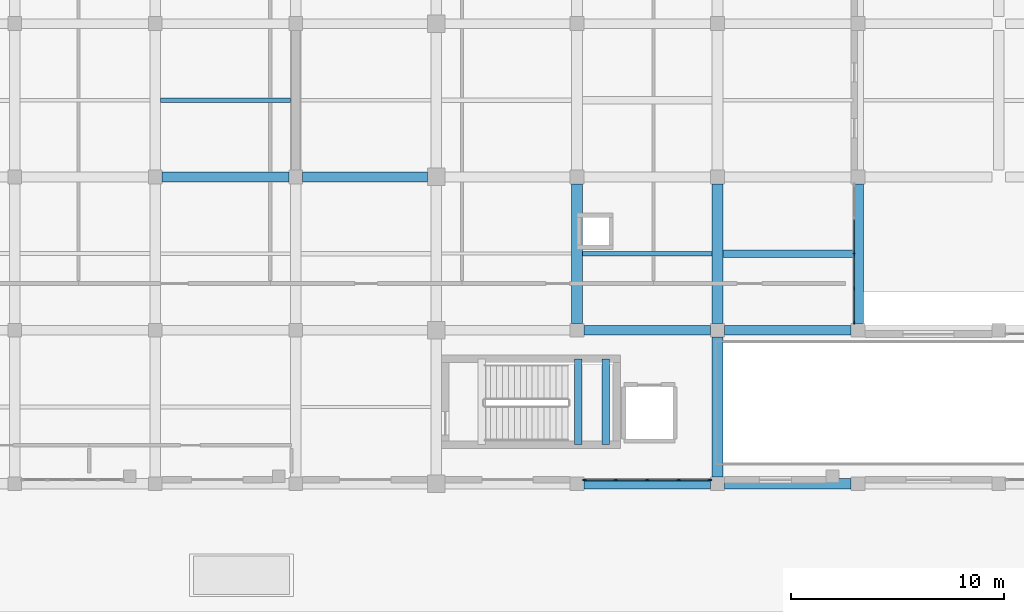
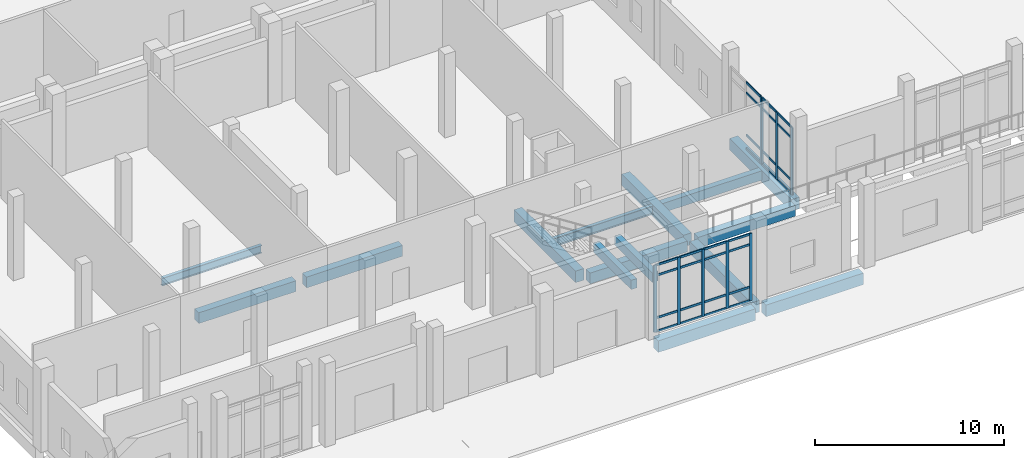
# One storey, part 14 of 79: 37 members, 15 beams, 3 elements without a shape of their own.
"""IFC4 building model written with IfcOpenShell, lengths in metres."""

from ifc_helpers import new_model, si_unit, direction, frame, origin, origin_2d, place, context, subcontext, project, spatial, rectangle, i_section, extrude, material, layer, layer_set, material_profile, profile_set, type_object, element, aggregate, save


model = new_model("IFC4")

# Units and contexts
model_context = context("Model", 3, precision=1e-05, world=origin(), true_north=direction((0.0, 1.0)))
body_context = subcontext(model_context, "Body", "Model", "MODEL_VIEW")
ifc_project = project(units=[si_unit("LENGTHUNIT", "METRE"), si_unit("AREAUNIT", "SQUARE_METRE"), si_unit("VOLUMEUNIT", "CUBIC_METRE"), si_unit("PLANEANGLEUNIT", "RADIAN"), si_unit("MASSUNIT", "GRAM", prefix="KILO")], contexts=[model_context])

# Site, building, storey
site_placement = place(None, origin())
site = spatial("IfcSite", under=ifc_project, at=site_placement, CompositionType="ELEMENT")
building_placement = place(site_placement, origin())
building = spatial("IfcBuilding", under=site, at=building_placement, Name="Kelarvand Opera House", CompositionType="ELEMENT")
storey_placement = place(building_placement, origin())
storey = spatial("IfcBuildingStorey", under=building, at=storey_placement, Name="L00", CompositionType="ELEMENT", Elevation=0.0)

# Curtain wall, members
ifc_material_1 = material(Name="Thermally broken aluminium and low-E glazing", Category="aluminium")
ifc_layer_1 = layer(ifc_material_1, 0.179931640625, Name="Thermally broken aluminium and low-E glazing", Category="aluminium")
ifc_layer_set_1 = layer_set([ifc_layer_1], Name="Thermally broken aluminium and low-E glazing")
curtain_wall_type_1 = type_object("IfcCurtainWallType", Name="Unitised Low-E Curtain Wall 5930x4350 Mod 1350 CWF-51", PredefinedType="USERDEFINED", material=ifc_layer_set_1)
curtain_wall_1_placement = place(storey_placement, origin())
curtain_wall_1 = element("IfcCurtainWall", 1, at=curtain_wall_1_placement, inside=storey, type_object=curtain_wall_type_1, Name="V6 L00 Curtain Wall CWF-51 (198)", ObjectType="UNITISED CURTAIN WALL", PredefinedType="USERDEFINED")
ifc_material_2 = material(Name="Thermally broken anodised aluminium", Category="aluminium")
ifc_material_profile_1 = material_profile(ifc_material_2, rectangle(XDim=0.06494140625, YDim=0.179931640625, at=origin_2d()), Name="ALU MULLION 65x180", Category="aluminium")
ifc_profile_set_1 = profile_set([ifc_material_profile_1], Name="Thermally broken anodised aluminium")
member_type_1 = type_object("IfcMemberType", Name="Curtain Wall Mullion 65x180 Aluminium", PredefinedType="MULLION", material=ifc_profile_set_1)
member_1_placement = place(storey_placement, frame((128.232421875, 9.179931640625, 0.0), z_axis=(0.0, 0.0, 1.0), x_axis=(0.0, -1.0, 0.0)))
member_1 = element("IfcMember", 2, at=member_1_placement, type_object=member_type_1, Name="CWF-51 mullion 1", PredefinedType="MULLION", context=body_context, shape_type="SweptSolid", body=[
    extrude(rectangle(XDim=0.06494140625, YDim=0.179931640625, at=origin_2d()), origin(), (0.0, 0.0, 1.0), 4.35009765625),
])
member_2_placement = place(storey_placement, frame((126.782470703125, 9.179931640625, 0.0), z_axis=(0.0, 0.0, 1.0), x_axis=(0.0, -1.0, 0.0)))
member_2 = element("IfcMember", 3, at=member_2_placement, type_object=member_type_1, Name="CWF-51 mullion 2", PredefinedType="MULLION", context=body_context, shape_type="SweptSolid", body=[
    extrude(rectangle(XDim=0.06494140625, YDim=0.179931640625, at=origin_2d()), origin(), (0.0, 0.0, 1.0), 4.35009765625),
])
member_3_placement = place(storey_placement, frame((125.300048828125, 9.179931640625, 0.0), z_axis=(0.0, 0.0, 1.0), x_axis=(0.0, -1.0, 0.0)))
member_3 = element("IfcMember", 4, at=member_3_placement, type_object=member_type_1, Name="CWF-51 mullion 3", PredefinedType="MULLION", context=body_context, shape_type="SweptSolid", body=[
    extrude(rectangle(XDim=0.06494140625, YDim=0.179931640625, at=origin_2d()), origin(), (0.0, 0.0, 1.0), 4.35009765625),
])
member_4_placement = place(storey_placement, frame((123.8173828125, 9.179931640625, 0.0), z_axis=(0.0, 0.0, 1.0), x_axis=(0.0, -1.0, 0.0)))
member_4 = element("IfcMember", 5, at=member_4_placement, type_object=member_type_1, Name="CWF-51 mullion 4", PredefinedType="MULLION", context=body_context, shape_type="SweptSolid", body=[
    extrude(rectangle(XDim=0.06494140625, YDim=0.179931640625, at=origin_2d()), origin(), (0.0, 0.0, 1.0), 4.35009765625),
])
member_5_placement = place(storey_placement, frame((122.367431640625, 9.179931640625, 0.0), z_axis=(0.0, 0.0, 1.0), x_axis=(0.0, -1.0, 0.0)))
member_5 = element("IfcMember", 6, at=member_5_placement, type_object=member_type_1, Name="CWF-51 mullion 5", PredefinedType="MULLION", context=body_context, shape_type="SweptSolid", body=[
    extrude(rectangle(XDim=0.06494140625, YDim=0.179931640625, at=origin_2d()), origin(), (0.0, 0.0, 1.0), 4.35009765625),
])

# Curtain wall, member
ifc_layer_2 = layer(ifc_material_1, 0.179931640625, Name="Thermally broken aluminium and low-E glazing", Category="aluminium")
ifc_layer_set_2 = layer_set([ifc_layer_2], Name="Thermally broken aluminium and low-E glazing")
curtain_wall_type_2 = type_object("IfcCurtainWallType", Name="Unitised Low-E Curtain Wall 3261x4350 Mod 1350 CWF-53", PredefinedType="USERDEFINED", material=ifc_layer_set_2)
curtain_wall_2_placement = place(storey_placement, origin())
curtain_wall_2 = element("IfcCurtainWall", 7, at=curtain_wall_2_placement, inside=storey, type_object=curtain_wall_type_2, Name="V6 L00 Curtain Wall CWF-53 (202)", ObjectType="UNITISED CURTAIN WALL", PredefinedType="USERDEFINED")
member_6_placement = place(storey_placement, frame((135.02001953125, 19.83642578125, 0.0), z_axis=(0.0, 0.0, 1.0), x_axis=(1.0, 0.0, 0.0)))
member_6 = element("IfcMember", 8, at=member_6_placement, type_object=member_type_1, Name="CWF-53 mullion 3", PredefinedType="MULLION", context=body_context, shape_type="SweptSolid", body=[
    extrude(rectangle(XDim=0.06494140625, YDim=0.179931640625, at=origin_2d()), origin(), (0.0, 0.0, 1.0), 4.35009765625),
])

# Curtain wall, members
curtain_wall_3_placement = place(storey_placement, origin())
curtain_wall_3 = element("IfcCurtainWall", 9, at=curtain_wall_3_placement, inside=storey, type_object=curtain_wall_type_2, Name="V6 L00 Curtain Wall CWF-53 (203)", ObjectType="UNITISED CURTAIN WALL", PredefinedType="USERDEFINED")
member_7_placement = place(storey_placement, frame((135.02001953125, 19.767578125, 0.0), z_axis=(0.0, 0.0, 1.0), x_axis=(1.0, 0.0, 0.0)))
member_7 = element("IfcMember", 10, at=member_7_placement, type_object=member_type_1, Name="CWF-53 mullion 1", PredefinedType="MULLION", context=body_context, shape_type="SweptSolid", body=[
    extrude(rectangle(XDim=0.06494140625, YDim=0.179931640625, at=origin_2d()), origin(), (0.0, 0.0, 1.0), 4.35009765625),
])
member_8_placement = place(storey_placement, frame((135.02001953125, 18.16748046875, 0.0), z_axis=(0.0, 0.0, 1.0), x_axis=(1.0, 0.0, 0.0)))
member_8 = element("IfcMember", 11, at=member_8_placement, type_object=member_type_1, Name="CWF-53 mullion 2", PredefinedType="MULLION", context=body_context, shape_type="SweptSolid", body=[
    extrude(rectangle(XDim=0.06494140625, YDim=0.179931640625, at=origin_2d()), origin(), (0.0, 0.0, 1.0), 4.35009765625),
])
member_9_placement = place(storey_placement, frame((135.02001953125, 16.5673828125, 0.0), z_axis=(0.0, 0.0, 1.0), x_axis=(1.0, 0.0, 0.0)))
member_9 = element("IfcMember", 12, at=member_9_placement, type_object=member_type_1, Name="CWF-53 mullion 3", PredefinedType="MULLION", context=body_context, shape_type="SweptSolid", body=[
    extrude(rectangle(XDim=0.06494140625, YDim=0.179931640625, at=origin_2d()), origin(), (0.0, 0.0, 1.0), 4.35009765625),
])

# Member
ifc_material_profile_2 = material_profile(ifc_material_2, rectangle(XDim=0.06494140625, YDim=0.139892578125, at=origin_2d()), Name="ALU TRANSOM 65x140", Category="aluminium")
ifc_profile_set_2 = profile_set([ifc_material_profile_2], Name="Thermally broken anodised aluminium")
member_type_2 = type_object("IfcMemberType", Name="Curtain Wall Transom 65x140 Aluminium", PredefinedType="USERDEFINED", material=ifc_profile_set_2)
member_10_placement = place(storey_placement, frame((128.199951171875, 9.179931640625, 0.032470703125), z_axis=(-1.0, 0.0, 0.0), x_axis=(0.0, -1.0, 0.0)))
member_10 = element("IfcMember", 13, at=member_10_placement, type_object=member_type_2, Name="CWF-51 transom 1.1", ObjectType="TRANSOM", PredefinedType="USERDEFINED", context=body_context, shape_type="SweptSolid", body=[
    extrude(rectangle(XDim=0.06494140625, YDim=0.139892578125, at=origin_2d()), origin(), (0.0, 0.0, 1.0), 1.385009765625),
])

member_11_placement = place(storey_placement, frame((128.199951171875, 9.179931640625, 0.89990234375), z_axis=(-1.0, 0.0, 0.0), x_axis=(0.0, -1.0, 0.0)))
member_11 = element("IfcMember", 14, at=member_11_placement, type_object=member_type_2, Name="CWF-51 transom 1.2", ObjectType="TRANSOM", PredefinedType="USERDEFINED", context=body_context, shape_type="SweptSolid", body=[
    extrude(rectangle(XDim=0.06494140625, YDim=0.139892578125, at=origin_2d()), origin(), (0.0, 0.0, 1.0), 1.385009765625),
])

member_12_placement = place(storey_placement, frame((128.199951171875, 9.179931640625, 3.64990234375), z_axis=(-1.0, 0.0, 0.0), x_axis=(0.0, -1.0, 0.0)))
member_12 = element("IfcMember", 15, at=member_12_placement, type_object=member_type_2, Name="CWF-51 transom 1.3", ObjectType="TRANSOM", PredefinedType="USERDEFINED", context=body_context, shape_type="SweptSolid", body=[
    extrude(rectangle(XDim=0.06494140625, YDim=0.139892578125, at=origin_2d()), origin(), (0.0, 0.0, 1.0), 1.385009765625),
])

member_13_placement = place(storey_placement, frame((128.199951171875, 9.179931640625, 4.3173828125), z_axis=(-1.0, 0.0, 0.0), x_axis=(0.0, -1.0, 0.0)))
member_13 = element("IfcMember", 16, at=member_13_placement, type_object=member_type_2, Name="CWF-51 transom 1.4", ObjectType="TRANSOM", PredefinedType="USERDEFINED", context=body_context, shape_type="SweptSolid", body=[
    extrude(rectangle(XDim=0.06494140625, YDim=0.139892578125, at=origin_2d()), origin(), (0.0, 0.0, 1.0), 1.385009765625),
])

member_14_placement = place(storey_placement, frame((126.75, 9.179931640625, 0.032470703125), z_axis=(-1.0, 0.0, 0.0), x_axis=(0.0, -1.0, 0.0)))
member_14 = element("IfcMember", 17, at=member_14_placement, type_object=member_type_2, Name="CWF-51 transom 2.1", ObjectType="TRANSOM", PredefinedType="USERDEFINED", context=body_context, shape_type="SweptSolid", body=[
    extrude(rectangle(XDim=0.06494140625, YDim=0.139892578125, at=origin_2d()), origin(), (0.0, 0.0, 1.0), 1.41748046875),
])

member_15_placement = place(storey_placement, frame((126.75, 9.179931640625, 0.89990234375), z_axis=(-1.0, 0.0, 0.0), x_axis=(0.0, -1.0, 0.0)))
member_15 = element("IfcMember", 18, at=member_15_placement, type_object=member_type_2, Name="CWF-51 transom 2.2", ObjectType="TRANSOM", PredefinedType="USERDEFINED", context=body_context, shape_type="SweptSolid", body=[
    extrude(rectangle(XDim=0.06494140625, YDim=0.139892578125, at=origin_2d()), origin(), (0.0, 0.0, 1.0), 1.41748046875),
])

member_16_placement = place(storey_placement, frame((126.75, 9.179931640625, 3.64990234375), z_axis=(-1.0, 0.0, 0.0), x_axis=(0.0, -1.0, 0.0)))
member_16 = element("IfcMember", 19, at=member_16_placement, type_object=member_type_2, Name="CWF-51 transom 2.3", ObjectType="TRANSOM", PredefinedType="USERDEFINED", context=body_context, shape_type="SweptSolid", body=[
    extrude(rectangle(XDim=0.06494140625, YDim=0.139892578125, at=origin_2d()), origin(), (0.0, 0.0, 1.0), 1.41748046875),
])

member_17_placement = place(storey_placement, frame((126.75, 9.179931640625, 4.3173828125), z_axis=(-1.0, 0.0, 0.0), x_axis=(0.0, -1.0, 0.0)))
member_17 = element("IfcMember", 20, at=member_17_placement, type_object=member_type_2, Name="CWF-51 transom 2.4", ObjectType="TRANSOM", PredefinedType="USERDEFINED", context=body_context, shape_type="SweptSolid", body=[
    extrude(rectangle(XDim=0.06494140625, YDim=0.139892578125, at=origin_2d()), origin(), (0.0, 0.0, 1.0), 1.41748046875),
])

member_18_placement = place(storey_placement, frame((125.267578125, 9.179931640625, 0.032470703125), z_axis=(-1.0, 0.0, 0.0), x_axis=(0.0, -1.0, 0.0)))
member_18 = element("IfcMember", 21, at=member_18_placement, type_object=member_type_2, Name="CWF-51 transom 3.1", ObjectType="TRANSOM", PredefinedType="USERDEFINED", context=body_context, shape_type="SweptSolid", body=[
    extrude(rectangle(XDim=0.06494140625, YDim=0.139892578125, at=origin_2d()), origin(), (0.0, 0.0, 1.0), 1.41748046875),
])

member_19_placement = place(storey_placement, frame((125.267578125, 9.179931640625, 0.89990234375), z_axis=(-1.0, 0.0, 0.0), x_axis=(0.0, -1.0, 0.0)))
member_19 = element("IfcMember", 22, at=member_19_placement, type_object=member_type_2, Name="CWF-51 transom 3.2", ObjectType="TRANSOM", PredefinedType="USERDEFINED", context=body_context, shape_type="SweptSolid", body=[
    extrude(rectangle(XDim=0.06494140625, YDim=0.139892578125, at=origin_2d()), origin(), (0.0, 0.0, 1.0), 1.41748046875),
])

member_20_placement = place(storey_placement, frame((125.267578125, 9.179931640625, 3.64990234375), z_axis=(-1.0, 0.0, 0.0), x_axis=(0.0, -1.0, 0.0)))
member_20 = element("IfcMember", 23, at=member_20_placement, type_object=member_type_2, Name="CWF-51 transom 3.3", ObjectType="TRANSOM", PredefinedType="USERDEFINED", context=body_context, shape_type="SweptSolid", body=[
    extrude(rectangle(XDim=0.06494140625, YDim=0.139892578125, at=origin_2d()), origin(), (0.0, 0.0, 1.0), 1.41748046875),
])

member_21_placement = place(storey_placement, frame((125.267578125, 9.179931640625, 4.3173828125), z_axis=(-1.0, 0.0, 0.0), x_axis=(0.0, -1.0, 0.0)))
member_21 = element("IfcMember", 24, at=member_21_placement, type_object=member_type_2, Name="CWF-51 transom 3.4", ObjectType="TRANSOM", PredefinedType="USERDEFINED", context=body_context, shape_type="SweptSolid", body=[
    extrude(rectangle(XDim=0.06494140625, YDim=0.139892578125, at=origin_2d()), origin(), (0.0, 0.0, 1.0), 1.41748046875),
])

member_22_placement = place(storey_placement, frame((123.784912109375, 9.179931640625, 0.032470703125), z_axis=(-1.0, 0.0, 0.0), x_axis=(0.0, -1.0, 0.0)))
member_22 = element("IfcMember", 25, at=member_22_placement, type_object=member_type_2, Name="CWF-51 transom 4.1", ObjectType="TRANSOM", PredefinedType="USERDEFINED", context=body_context, shape_type="SweptSolid", body=[
    extrude(rectangle(XDim=0.06494140625, YDim=0.139892578125, at=origin_2d()), origin(), (0.0, 0.0, 1.0), 1.385009765625),
])

member_23_placement = place(storey_placement, frame((123.784912109375, 9.179931640625, 0.89990234375), z_axis=(-1.0, 0.0, 0.0), x_axis=(0.0, -1.0, 0.0)))
member_23 = element("IfcMember", 26, at=member_23_placement, type_object=member_type_2, Name="CWF-51 transom 4.2", ObjectType="TRANSOM", PredefinedType="USERDEFINED", context=body_context, shape_type="SweptSolid", body=[
    extrude(rectangle(XDim=0.06494140625, YDim=0.139892578125, at=origin_2d()), origin(), (0.0, 0.0, 1.0), 1.385009765625),
])

member_24_placement = place(storey_placement, frame((123.784912109375, 9.179931640625, 3.64990234375), z_axis=(-1.0, 0.0, 0.0), x_axis=(0.0, -1.0, 0.0)))
member_24 = element("IfcMember", 27, at=member_24_placement, type_object=member_type_2, Name="CWF-51 transom 4.3", ObjectType="TRANSOM", PredefinedType="USERDEFINED", context=body_context, shape_type="SweptSolid", body=[
    extrude(rectangle(XDim=0.06494140625, YDim=0.139892578125, at=origin_2d()), origin(), (0.0, 0.0, 1.0), 1.385009765625),
])

member_25_placement = place(storey_placement, frame((123.784912109375, 9.179931640625, 4.3173828125), z_axis=(-1.0, 0.0, 0.0), x_axis=(0.0, -1.0, 0.0)))
member_25 = element("IfcMember", 28, at=member_25_placement, type_object=member_type_2, Name="CWF-51 transom 4.4", ObjectType="TRANSOM", PredefinedType="USERDEFINED", context=body_context, shape_type="SweptSolid", body=[
    extrude(rectangle(XDim=0.06494140625, YDim=0.139892578125, at=origin_2d()), origin(), (0.0, 0.0, 1.0), 1.385009765625),
])

aggregate(curtain_wall_1, [member_1, member_2, member_3, member_4, member_5, member_10, member_11, member_12, member_13, member_14, member_15, member_16, member_17, member_18, member_19, member_20, member_21, member_22, member_23, member_24, member_25])

member_26_placement = place(storey_placement, frame((135.02001953125, 21.402099609375, 0.032470703125), z_axis=(0.0, -1.0, 0.0), x_axis=(1.0, 0.0, 0.0)))
member_26 = element("IfcMember", 29, at=member_26_placement, type_object=member_type_2, Name="CWF-53 transom 2.1", ObjectType="TRANSOM", PredefinedType="USERDEFINED", context=body_context, shape_type="SweptSolid", body=[
    extrude(rectangle(XDim=0.06494140625, YDim=0.139892578125, at=origin_2d()), origin(), (0.0, 0.0, 1.0), 1.533203125),
])

member_27_placement = place(storey_placement, frame((135.02001953125, 21.402099609375, 0.89990234375), z_axis=(0.0, -1.0, 0.0), x_axis=(1.0, 0.0, 0.0)))
member_27 = element("IfcMember", 30, at=member_27_placement, type_object=member_type_2, Name="CWF-53 transom 2.2", ObjectType="TRANSOM", PredefinedType="USERDEFINED", context=body_context, shape_type="SweptSolid", body=[
    extrude(rectangle(XDim=0.06494140625, YDim=0.139892578125, at=origin_2d()), origin(), (0.0, 0.0, 1.0), 1.533203125),
])

member_28_placement = place(storey_placement, frame((135.02001953125, 21.402099609375, 3.64990234375), z_axis=(0.0, -1.0, 0.0), x_axis=(1.0, 0.0, 0.0)))
member_28 = element("IfcMember", 31, at=member_28_placement, type_object=member_type_2, Name="CWF-53 transom 2.3", ObjectType="TRANSOM", PredefinedType="USERDEFINED", context=body_context, shape_type="SweptSolid", body=[
    extrude(rectangle(XDim=0.06494140625, YDim=0.139892578125, at=origin_2d()), origin(), (0.0, 0.0, 1.0), 1.533203125),
])

member_29_placement = place(storey_placement, frame((135.02001953125, 21.402099609375, 4.3173828125), z_axis=(0.0, -1.0, 0.0), x_axis=(1.0, 0.0, 0.0)))
member_29 = element("IfcMember", 32, at=member_29_placement, type_object=member_type_2, Name="CWF-53 transom 2.4", ObjectType="TRANSOM", PredefinedType="USERDEFINED", context=body_context, shape_type="SweptSolid", body=[
    extrude(rectangle(XDim=0.06494140625, YDim=0.139892578125, at=origin_2d()), origin(), (0.0, 0.0, 1.0), 1.533203125),
])

aggregate(curtain_wall_2, [member_6, member_26, member_27, member_28, member_29])

member_30_placement = place(storey_placement, frame((135.02001953125, 19.735107421875, 0.032470703125), z_axis=(0.0, -1.0, 0.0), x_axis=(1.0, 0.0, 0.0)))
member_30 = element("IfcMember", 33, at=member_30_placement, type_object=member_type_2, Name="CWF-53 transom 1.1", ObjectType="TRANSOM", PredefinedType="USERDEFINED", context=body_context, shape_type="SweptSolid", body=[
    extrude(rectangle(XDim=0.06494140625, YDim=0.139892578125, at=origin_2d()), origin(), (0.0, 0.0, 1.0), 1.53515625),
])

member_31_placement = place(storey_placement, frame((135.02001953125, 19.735107421875, 0.89990234375), z_axis=(0.0, -1.0, 0.0), x_axis=(1.0, 0.0, 0.0)))
member_31 = element("IfcMember", 34, at=member_31_placement, type_object=member_type_2, Name="CWF-53 transom 1.2", ObjectType="TRANSOM", PredefinedType="USERDEFINED", context=body_context, shape_type="SweptSolid", body=[
    extrude(rectangle(XDim=0.06494140625, YDim=0.139892578125, at=origin_2d()), origin(), (0.0, 0.0, 1.0), 1.53515625),
])

member_32_placement = place(storey_placement, frame((135.02001953125, 19.735107421875, 3.64990234375), z_axis=(0.0, -1.0, 0.0), x_axis=(1.0, 0.0, 0.0)))
member_32 = element("IfcMember", 35, at=member_32_placement, type_object=member_type_2, Name="CWF-53 transom 1.3", ObjectType="TRANSOM", PredefinedType="USERDEFINED", context=body_context, shape_type="SweptSolid", body=[
    extrude(rectangle(XDim=0.06494140625, YDim=0.139892578125, at=origin_2d()), origin(), (0.0, 0.0, 1.0), 1.53515625),
])

member_33_placement = place(storey_placement, frame((135.02001953125, 19.735107421875, 4.3173828125), z_axis=(0.0, -1.0, 0.0), x_axis=(1.0, 0.0, 0.0)))
member_33 = element("IfcMember", 36, at=member_33_placement, type_object=member_type_2, Name="CWF-53 transom 1.4", ObjectType="TRANSOM", PredefinedType="USERDEFINED", context=body_context, shape_type="SweptSolid", body=[
    extrude(rectangle(XDim=0.06494140625, YDim=0.139892578125, at=origin_2d()), origin(), (0.0, 0.0, 1.0), 1.53515625),
])

member_34_placement = place(storey_placement, frame((135.02001953125, 18.135009765625, 0.032470703125), z_axis=(0.0, -1.0, 0.0), x_axis=(1.0, 0.0, 0.0)))
member_34 = element("IfcMember", 37, at=member_34_placement, type_object=member_type_2, Name="CWF-53 transom 2.1", ObjectType="TRANSOM", PredefinedType="USERDEFINED", context=body_context, shape_type="SweptSolid", body=[
    extrude(rectangle(XDim=0.06494140625, YDim=0.139892578125, at=origin_2d()), origin(), (0.0, 0.0, 1.0), 1.534912109375),
])

member_35_placement = place(storey_placement, frame((135.02001953125, 18.135009765625, 0.89990234375), z_axis=(0.0, -1.0, 0.0), x_axis=(1.0, 0.0, 0.0)))
member_35 = element("IfcMember", 38, at=member_35_placement, type_object=member_type_2, Name="CWF-53 transom 2.2", ObjectType="TRANSOM", PredefinedType="USERDEFINED", context=body_context, shape_type="SweptSolid", body=[
    extrude(rectangle(XDim=0.06494140625, YDim=0.139892578125, at=origin_2d()), origin(), (0.0, 0.0, 1.0), 1.534912109375),
])

member_36_placement = place(storey_placement, frame((135.02001953125, 18.135009765625, 3.64990234375), z_axis=(0.0, -1.0, 0.0), x_axis=(1.0, 0.0, 0.0)))
member_36 = element("IfcMember", 39, at=member_36_placement, type_object=member_type_2, Name="CWF-53 transom 2.3", ObjectType="TRANSOM", PredefinedType="USERDEFINED", context=body_context, shape_type="SweptSolid", body=[
    extrude(rectangle(XDim=0.06494140625, YDim=0.139892578125, at=origin_2d()), origin(), (0.0, 0.0, 1.0), 1.534912109375),
])

member_37_placement = place(storey_placement, frame((135.02001953125, 18.135009765625, 4.3173828125), z_axis=(0.0, -1.0, 0.0), x_axis=(1.0, 0.0, 0.0)))
member_37 = element("IfcMember", 40, at=member_37_placement, type_object=member_type_2, Name="CWF-53 transom 2.4", ObjectType="TRANSOM", PredefinedType="USERDEFINED", context=body_context, shape_type="SweptSolid", body=[
    extrude(rectangle(XDim=0.06494140625, YDim=0.139892578125, at=origin_2d()), origin(), (0.0, 0.0, 1.0), 1.534912109375),
])

aggregate(curtain_wall_3, [member_7, member_8, member_9, member_30, member_31, member_32, member_33, member_34, member_35, member_36, member_37])

# Beams
ifc_material_3 = material(Name="Concrete C35/45", Category="concrete")
ifc_material_profile_3 = material_profile(ifc_material_3, rectangle(XDim=0.35009765625, YDim=0.60009765625, at=origin_2d()), Name="RC 350x600", Category="concrete")
ifc_profile_set_3 = profile_set([ifc_material_profile_3], Name="Concrete C35/45")
beam_type_1 = type_object("IfcBeamType", Name="Structural Beam RC 350x600 BM-RC350x600", PredefinedType="BEAM", material=ifc_profile_set_3)
beam_1_placement = place(storey_placement, frame((128.85009765625, 19.800048828125, -0.60009765625), z_axis=(1.0, 0.0, 0.0), x_axis=(0.0, 1.0, 0.0)))
element("IfcBeam", 41, at=beam_1_placement, inside=storey, type_object=beam_type_1, Name="V6 L00 Beam BM-RC350x600", PredefinedType="BEAM", context=body_context, shape_type="SweptSolid", body=[
    extrude(rectangle(XDim=0.35009765625, YDim=0.60009765625, at=origin_2d()), origin(), (0.0, 0.0, 1.0), 6.099853515625),
])
for number, where, z_axis, x_axis, name in (
    (42, (122.050048828125, 10.85009765625, 2.199951171875), (0.0, 1.0, 0.0), (-1.0, 0.0, 0.0), "C8 Stair Half-Landing Beam 1 L00"),
    (43, (123.35009765625, 10.85009765625, 2.199951171875), (0.0, 1.0, 0.0), (-1.0, 0.0, 0.0), "C8 Stair Half-Landing Beam 2 L00"),
):
    element("IfcBeam", number, at=place(storey_placement, frame(where, z_axis=z_axis, x_axis=x_axis)), inside=storey, type_object=beam_type_1, Name=name, PredefinedType="BEAM", context=body_context, shape_type="SweptSolid", body=[
        extrude(rectangle(XDim=0.35009765625, YDim=0.60009765625, at=origin_2d()), origin(), (0.0, 0.0, 1.0), 4.0),
    ])
ifc_material_4 = material(Name="Concrete C40/50", Category="concrete")
ifc_material_profile_4 = material_profile(ifc_material_4, rectangle(XDim=0.449951171875, YDim=0.699951171875, at=origin_2d()), Name="RC 450x700", Category="concrete")
ifc_profile_set_4 = profile_set([ifc_material_profile_4], Name="Concrete C40/50")
beam_type_2 = type_object("IfcBeamType", Name="Structural Beam RC 450x700 BM-RC450x700", PredefinedType="BEAM", material=ifc_profile_set_4)
for number, where, z_axis, x_axis, name in (
    (44, (122.324951171875, 16.199951171875, -0.64990234375), (1.0, 0.0, 0.0), (0.0, 1.0, 0.0), "V6 L00 Beam BM-RC450x700"),
    (45, (128.925048828125, 16.199951171875, -0.64990234375), (1.0, 0.0, 0.0), (0.0, 1.0, 0.0), "V6 L00 Beam BM-RC450x700"),
):
    element("IfcBeam", number, at=place(storey_placement, frame(where, z_axis=z_axis, x_axis=x_axis)), inside=storey, type_object=beam_type_2, Name=name, PredefinedType="BEAM", context=body_context, shape_type="SweptSolid", body=[
        extrude(rectangle(XDim=0.449951171875, YDim=0.699951171875, at=origin_2d()), origin(), (0.0, 0.0, 1.0), 5.949951171875),
    ])
beam_2_placement = place(storey_placement, frame((102.52490234375, 23.39990234375, -0.64990234375), z_axis=(1.0, 0.0, 0.0), x_axis=(0.0, 1.0, 0.0)))
element("IfcBeam", 46, at=beam_2_placement, inside=storey, type_object=beam_type_2, Name="V6 L00 Beam BM-RC450x700", PredefinedType="BEAM", context=body_context, shape_type="SweptSolid", body=[
    extrude(rectangle(XDim=0.449951171875, YDim=0.699951171875, at=origin_2d()), origin(), (0.0, 0.0, 1.0), 5.9501953125),
])
beam_3_placement = place(storey_placement, frame((109.125, 23.39990234375, -0.64990234375), z_axis=(1.0, 0.0, 0.0), x_axis=(0.0, 1.0, 0.0)))
element("IfcBeam", 47, at=beam_3_placement, inside=storey, type_object=beam_type_2, Name="V6 L00 Beam BM-RC450x700", PredefinedType="BEAM", context=body_context, shape_type="SweptSolid", body=[
    extrude(rectangle(XDim=0.449951171875, YDim=0.699951171875, at=origin_2d()), origin(), (0.0, 0.0, 1.0), 5.864990234375),
])
ifc_material_profile_5 = material_profile(ifc_material_4, rectangle(XDim=0.5, YDim=0.75, at=origin_2d()), Name="RC 500x750", Category="concrete")
ifc_profile_set_5 = profile_set([ifc_material_profile_5], Name="Concrete C40/50")
beam_type_3 = type_object("IfcBeamType", Name="Structural Beam RC 500x750 BM-RC500x750", PredefinedType="BEAM", material=ifc_profile_set_5)
for number, where, z_axis, x_axis, name in (
    (48, (122.0, 16.52490234375, -0.675048828125), (0.0, 1.0, 0.0), (-1.0, 0.0, 0.0), "V6 L00 Beam BM-RC500x750"),
    (49, (128.60009765625, 9.324951171875, -0.675048828125), (0.0, 1.0, 0.0), (-1.0, 0.0, 0.0), "V6 L00 Beam BM-RC500x750"),
    (50, (128.60009765625, 16.52490234375, -0.675048828125), (0.0, 1.0, 0.0), (-1.0, 0.0, 0.0), "V6 L00 Beam BM-RC500x750"),
    (51, (135.199951171875, 16.52490234375, -0.675048828125), (0.0, 1.0, 0.0), (-1.0, 0.0, 0.0), "V6 L00 Beam BM-RC500x750"),
):
    element("IfcBeam", number, at=place(storey_placement, frame(where, z_axis=z_axis, x_axis=x_axis)), inside=storey, type_object=beam_type_3, Name=name, PredefinedType="BEAM", context=body_context, shape_type="SweptSolid", body=[
        extrude(rectangle(XDim=0.5, YDim=0.75, at=origin_2d()), origin(), (0.0, 0.0, 1.0), 6.550048828125),
    ])
ifc_material_5 = material(Name="Steel S355", Category="steel")
ifc_material_profile_6 = material_profile(ifc_material_5, i_section(OverallWidth=0.199951171875, OverallDepth=0.5, WebThickness=0.01025390625, FlangeThickness=0.01611328125, at=origin_2d()), Name="IPE 500", Category="steel")
ifc_profile_set_6 = profile_set([ifc_material_profile_6], Name="Steel S355")
beam_type_4 = type_object("IfcBeamType", Name="Structural Joist IPE 500 JS-IPE500", PredefinedType="JOIST", material=ifc_profile_set_6)
beam_4_placement = place(storey_placement, frame((102.449951171875, 27.0, -0.550048828125), z_axis=(1.0, 0.0, 0.0), x_axis=(0.0, 1.0, 0.0)))
element("IfcBeam", 52, at=beam_4_placement, inside=storey, type_object=beam_type_4, Name="V6 L00 Beam JS-IPE500", PredefinedType="JOIST", context=body_context, shape_type="SweptSolid", body=[
    extrude(i_section(OverallWidth=0.199951171875, OverallDepth=0.5, WebThickness=0.01025390625, FlangeThickness=0.01611328125, at=origin_2d()), origin(), (0.0, 0.0, 1.0), 6.10009765625),
])
ifc_material_profile_7 = material_profile(ifc_material_5, i_section(OverallWidth=0.2099609375, OverallDepth=0.550048828125, WebThickness=0.010986328125, FlangeThickness=0.01708984375, at=origin_2d()), Name="IPE 550", Category="steel")
ifc_profile_set_7 = profile_set([ifc_material_profile_7], Name="Steel S355")
beam_type_5 = type_object("IfcBeamType", Name="Structural Joist IPE 550 JS-IPE550", PredefinedType="JOIST", material=ifc_profile_set_7)
beam_5_placement = place(storey_placement, frame((122.25, 19.800048828125, -0.574951171875), z_axis=(1.0, 0.0, 0.0), x_axis=(0.0, 1.0, 0.0)))
element("IfcBeam", 53, at=beam_5_placement, inside=storey, type_object=beam_type_5, Name="V6 L00 Beam JS-IPE550", PredefinedType="JOIST", context=body_context, shape_type="SweptSolid", body=[
    extrude(i_section(OverallWidth=0.2099609375, OverallDepth=0.550048828125, WebThickness=0.010986328125, FlangeThickness=0.01708984375, at=origin_2d()), origin(), (0.0, 0.0, 1.0), 6.10009765625),
])
ifc_material_profile_8 = material_profile(ifc_material_4, rectangle(XDim=0.5, YDim=0.75, at=origin_2d()), Name="RC 500x750", Category="concrete")
ifc_profile_set_8 = profile_set([ifc_material_profile_8], Name="Concrete C40/50")
beam_type_6 = type_object("IfcBeamType", Name="Structural Spandrel RC 500x750 SP-RC500x750E", PredefinedType="SPANDREL", material=ifc_profile_set_8)
for number, where, z_axis, x_axis, name in (
    (54, (122.324951171875, 9.0, -0.675048828125), (1.0, 0.0, 0.0), (0.0, 1.0, 0.0), "V6 L00 Beam SP-RC500x750E"),
    (55, (128.925048828125, 9.0, -0.675048828125), (1.0, 0.0, 0.0), (0.0, 1.0, 0.0), "V6 L00 Beam SP-RC500x750E"),
):
    element("IfcBeam", number, at=place(storey_placement, frame(where, z_axis=z_axis, x_axis=x_axis)), inside=storey, type_object=beam_type_6, Name=name, PredefinedType="SPANDREL", context=body_context, shape_type="SweptSolid", body=[
        extrude(rectangle(XDim=0.5, YDim=0.75, at=origin_2d()), origin(), (0.0, 0.0, 1.0), 5.949951171875),
    ])

save(model, "model.ifc")
